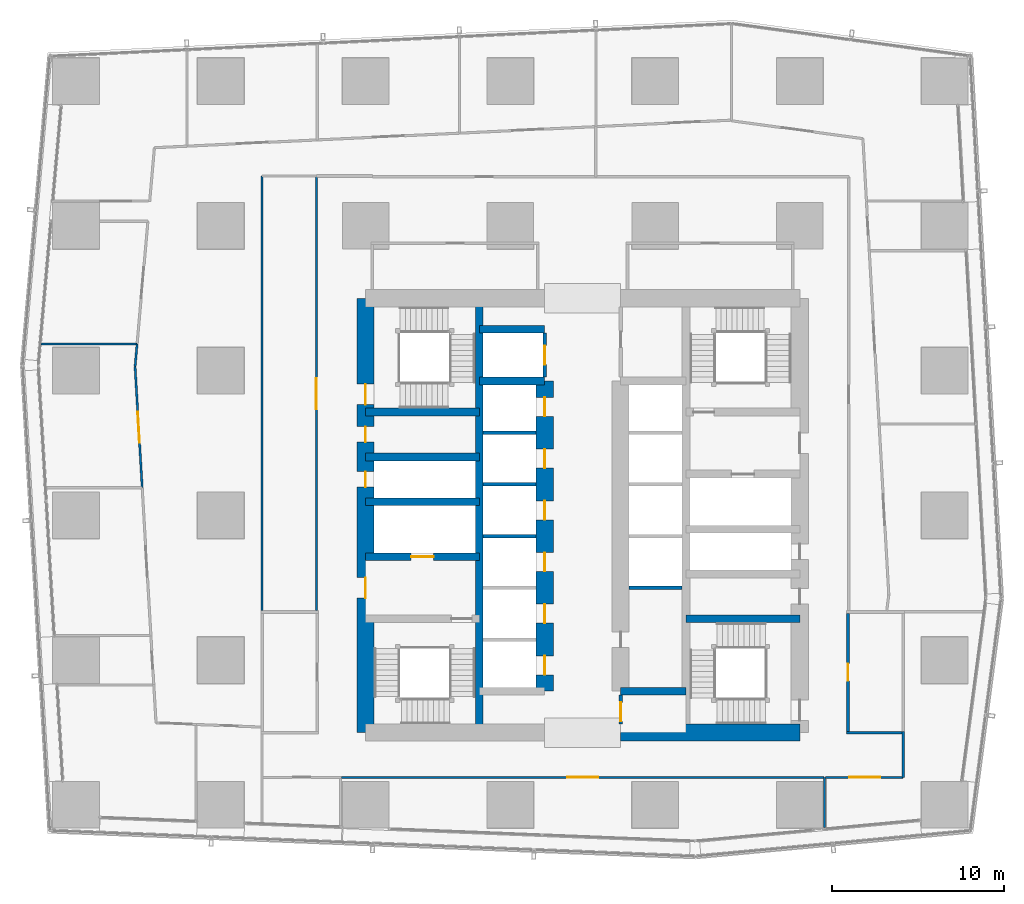
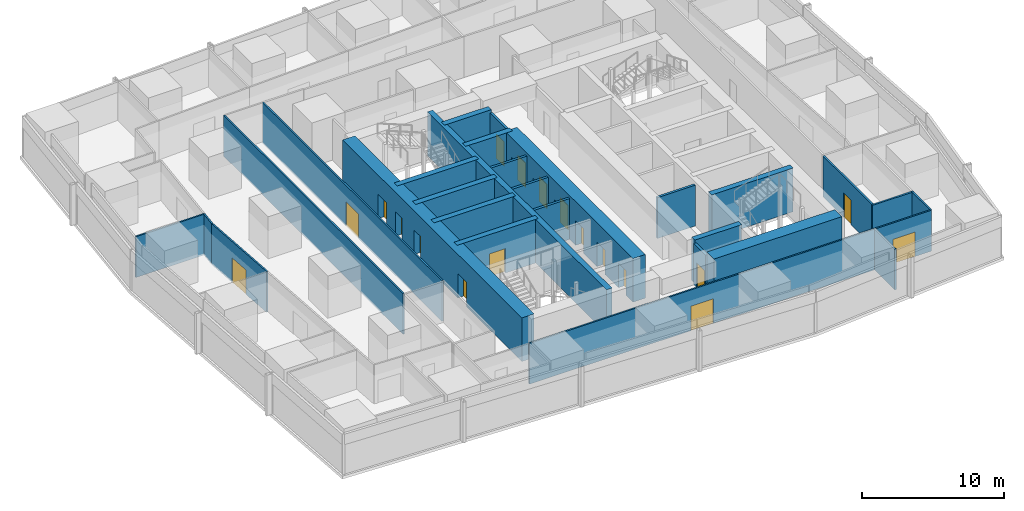
# One storey, part 25 of 36: 29 walls, 18 doors, 18 openings.
"""IFC4 building model written with IfcOpenShell, lengths in metres."""

from ifc_helpers import new_model, si_unit, direction, frame, frame_2d, origin, place, context, subcontext, project, spatial, rectangle, extrude, material, layer, layer_set, type_object, element, fill, save


model = new_model("IFC4")

# Units and contexts
model_context = context("Model", 3, precision=1e-05, world=origin(), true_north=direction((0.0, 1.0)))
body_context = subcontext(model_context, "Body", "Model", "MODEL_VIEW")
ifc_project = project(units=[si_unit("LENGTHUNIT", "METRE"), si_unit("AREAUNIT", "SQUARE_METRE"), si_unit("VOLUMEUNIT", "CUBIC_METRE"), si_unit("PLANEANGLEUNIT", "RADIAN"), si_unit("MASSUNIT", "GRAM", prefix="KILO")], contexts=[model_context])

# Site, building, storey
site_placement = place(None, origin())
site = spatial("IfcSite", under=ifc_project, at=site_placement, CompositionType="ELEMENT")
building_placement = place(site_placement, origin())
building = spatial("IfcBuilding", under=site, at=building_placement, Name="Rekha Terrace Tower", CompositionType="ELEMENT")
storey_placement = place(building_placement, frame((0.0, 0.0, 172.699951171875)))
storey = spatial("IfcBuildingStorey", under=building, at=storey_placement, Name="L43", CompositionType="ELEMENT", Elevation=172.699951171875)

# Walls
ifc_material_1 = material(Name="Concrete M60", Category="concrete")
ifc_layer_1 = layer(ifc_material_1, 0.449951171875)
ifc_layer_set_1 = layer_set([ifc_layer_1], Name="Concrete M60")
wall_type_1 = type_object("IfcWallType", Name="CI3 450 core internal shear wall", PredefinedType="SHEAR", material=ifc_layer_set_1)
wall_1_placement = place(storey_placement, frame((31.800048828125, 21.0, 0.0), z_axis=(0.0, 0.0, 1.0), x_axis=(0.0, 1.0, 0.0)))
element("IfcWall", 1, at=wall_1_placement, inside=storey, type_object=wall_type_1, Name="Core wall X318 L43", PredefinedType="SHEAR", context=body_context, shape_type="SweptSolid", body=[
    extrude(rectangle(XDim=25.199951171875, YDim=0.449951171875, at=frame_2d((12.60009765625, 0.0))), origin(), (0.0, 0.0, 1.0), 3.75),
])
for number, where, z_axis, x_axis, name in (
    (2, (31.800048828125, 41.39990234375, 0.0), (0.0, 0.0, 1.0), (1.0, 0.0, 0.0), "Core wall Y414W L43"),
    (3, (31.800048828125, 44.39990234375, 0.0), (0.0, 0.0, 1.0), (1.0, 0.0, 0.0), "Core wall Y444W L43"),
    (4, (40.0, 23.39990234375, 0.0), (0.0, 0.0, 1.0), (1.0, 0.0, 0.0), "Core wall Y234E L43"),
):
    element("IfcWall", number, at=place(storey_placement, frame(where, z_axis=z_axis, x_axis=x_axis)), inside=storey, type_object=wall_type_1, Name=name, PredefinedType="SHEAR", context=body_context, shape_type="SweptSolid", body=[
        extrude(rectangle(XDim=3.800048828125, YDim=0.449951171875, at=frame_2d((1.89990234375, 0.0))), origin(), (0.0, 0.0, 1.0), 3.75),
    ])

# Wall, opening, door
wall_2_placement = place(storey_placement, frame((25.199951171875, 31.199951171875, 0.0), z_axis=(0.0, 0.0, 1.0), x_axis=(1.0, 0.0, 0.0)))
wall_2 = element("IfcWall", 5, at=wall_2_placement, inside=storey, type_object=wall_type_1, Name="Core wall Y312W L43", PredefinedType="SHEAR", context=body_context, shape_type="SweptSolid", body=[
    extrude(rectangle(XDim=6.60009765625, YDim=0.449951171875, at=frame_2d((3.300048828125, 0.0))), origin(), (0.0, 0.0, 1.0), 3.75),
])
opening_1_placement = place(wall_2_placement, frame((2.64990234375, 0.0, 0.0)))
opening_1 = element("IfcOpeningElement", 6, at=opening_1_placement, cuts=wall_2, Name="Opening LD2", PredefinedType="OPENING", context=body_context, shape_type="SweptSolid", body=[
    extrude(rectangle(XDim=1.300048828125, YDim=2.10009765625, at=frame_2d((0.64990234375, 1.050048828125))), frame((0.0, 0.23486328125, 0.0), z_axis=(0.0, -1.0, 0.0), x_axis=(1.0, 0.0, 0.0)), (0.0, 0.0, 1.0), 0.469970703125),
])
ifc_material_2 = material(Name="Stainless steel sliding landing door", Category="steel")
door_type_1 = type_object("IfcDoorType", Name="LD2 1300x2100 fire lift landing door", OperationType="SLIDING_TO_LEFT", PredefinedType="USERDEFINED", material=ifc_material_2)
door_1_placement = place(opening_1_placement, origin())
door_1 = element("IfcDoor", 7, at=door_1_placement, inside=storey, type_object=door_type_1, Name="Lift FL1 landing door L43", ObjectType="LIFT LANDING DOOR", OperationType="SLIDING_TO_LEFT", OverallHeight=2.10009765625, OverallWidth=1.300048828125, PredefinedType="USERDEFINED", context=body_context, shape_type="SweptSolid", body=[
    extrude(rectangle(XDim=1.300048828125, YDim=2.10009765625, at=frame_2d((0.64990234375, 1.050048828125))), frame((0.0, 0.02490234375, 0.0), z_axis=(0.0, -1.0, 0.0), x_axis=(1.0, 0.0, 0.0)), (0.0, 0.0, 1.0), 0.050048828125),
])
fill(opening_1, door_1)

# Walls
for number, where, z_axis, x_axis, name in (
    (8, (25.199951171875, 34.39990234375, 0.0), (0.0, 0.0, 1.0), (1.0, 0.0, 0.0), "Core wall Y344W L43"),
    (9, (25.199951171875, 37.0, 0.0), (0.0, 0.0, 1.0), (1.0, 0.0, 0.0), "Core wall Y370W L43"),
    (10, (25.199951171875, 39.60009765625, 0.0), (0.0, 0.0, 1.0), (1.0, 0.0, 0.0), "Core wall Y396W L43"),
):
    element("IfcWall", number, at=place(storey_placement, frame(where, z_axis=z_axis, x_axis=x_axis)), inside=storey, type_object=wall_type_1, Name=name, PredefinedType="SHEAR", context=body_context, shape_type="SweptSolid", body=[
        extrude(rectangle(XDim=6.60009765625, YDim=0.449951171875, at=frame_2d((3.300048828125, 0.0))), origin(), (0.0, 0.0, 1.0), 3.75),
    ])
wall_3_placement = place(storey_placement, frame((43.800048828125, 27.60009765625, 0.0), z_axis=(0.0, 0.0, 1.0), x_axis=(1.0, 0.0, 0.0)))
element("IfcWall", 11, at=wall_3_placement, inside=storey, type_object=wall_type_1, Name="Core wall Y276E L43", PredefinedType="SHEAR", context=body_context, shape_type="SweptSolid", body=[
    extrude(rectangle(XDim=6.599853515625, YDim=0.449951171875, at=frame_2d((3.2998046875, 0.0))), origin(), (0.0, 0.0, 1.0), 3.75),
])

# Wall, openings, doors
ifc_layer_2 = layer(ifc_material_1, 1.0)
ifc_layer_set_2 = layer_set([ifc_layer_2], Name="Concrete M60")
wall_type_2 = type_object("IfcWallType", Name="LW3 1000 core lobby wall at an outrigger level", PredefinedType="SHEAR", material=ifc_layer_set_2)
wall_4_placement = place(storey_placement, frame((35.60009765625, 23.39990234375, 0.0), z_axis=(0.0, 0.0, 1.0), x_axis=(0.0, 1.0, 0.0)))
wall_4 = element("IfcWall", 12, at=wall_4_placement, inside=storey, type_object=wall_type_2, Name="Core wall X356 L43", PredefinedType="SHEAR", context=body_context, shape_type="SweptSolid", body=[
    extrude(rectangle(XDim=18.0, YDim=1.0, at=frame_2d((9.0, 0.0))), origin(), (0.0, 0.0, 1.0), 3.75),
])
opening_2_placement = place(wall_4_placement, frame((0.949951171875, 0.0, 0.0)))
opening_2 = element("IfcOpeningElement", 13, at=opening_2_placement, cuts=wall_4, Name="Opening LD1", PredefinedType="OPENING", context=body_context, shape_type="SweptSolid", body=[
    extrude(rectangle(XDim=1.10009765625, YDim=2.10009765625, at=frame_2d((0.550048828125, 1.050048828125))), frame((0.0, 0.510009765625, 0.0), z_axis=(0.0, -1.0, 0.0), x_axis=(1.0, 0.0, 0.0)), (0.0, 0.0, 1.0), 1.02001953125),
])
opening_3_placement = place(wall_4_placement, frame((3.949951171875, 0.0, 0.0)))
opening_3 = element("IfcOpeningElement", 14, at=opening_3_placement, cuts=wall_4, Name="Opening LD1", PredefinedType="OPENING", context=body_context, shape_type="SweptSolid", body=[
    extrude(rectangle(XDim=1.10009765625, YDim=2.10009765625, at=frame_2d((0.550048828125, 1.050048828125))), frame((0.0, 0.510009765625, 0.0), z_axis=(0.0, -1.0, 0.0), x_axis=(1.0, 0.0, 0.0)), (0.0, 0.0, 1.0), 1.02001953125),
])
opening_4_placement = place(wall_4_placement, frame((6.949951171875, 0.0, 0.0)))
opening_4 = element("IfcOpeningElement", 15, at=opening_4_placement, cuts=wall_4, Name="Opening LD1", PredefinedType="OPENING", context=body_context, shape_type="SweptSolid", body=[
    extrude(rectangle(XDim=1.10009765625, YDim=2.10009765625, at=frame_2d((0.550048828125, 1.050048828125))), frame((0.0, 0.510009765625, 0.0), z_axis=(0.0, -1.0, 0.0), x_axis=(1.0, 0.0, 0.0)), (0.0, 0.0, 1.0), 1.02001953125),
])
opening_5_placement = place(wall_4_placement, frame((9.949951171875, 0.0, 0.0)))
opening_5 = element("IfcOpeningElement", 16, at=opening_5_placement, cuts=wall_4, Name="Opening LD1", PredefinedType="OPENING", context=body_context, shape_type="SweptSolid", body=[
    extrude(rectangle(XDim=1.10009765625, YDim=2.10009765625, at=frame_2d((0.550048828125, 1.050048828125))), frame((0.0, 0.510009765625, 0.0), z_axis=(0.0, -1.0, 0.0), x_axis=(1.0, 0.0, 0.0)), (0.0, 0.0, 1.0), 1.02001953125),
])
opening_6_placement = place(wall_4_placement, frame((12.949951171875, 0.0, 0.0)))
opening_6 = element("IfcOpeningElement", 17, at=opening_6_placement, cuts=wall_4, Name="Opening LD1", PredefinedType="OPENING", context=body_context, shape_type="SweptSolid", body=[
    extrude(rectangle(XDim=1.10009765625, YDim=2.10009765625, at=frame_2d((0.550048828125, 1.050048828125))), frame((0.0, 0.510009765625, 0.0), z_axis=(0.0, -1.0, 0.0), x_axis=(1.0, 0.0, 0.0)), (0.0, 0.0, 1.0), 1.02001953125),
])
opening_7_placement = place(wall_4_placement, frame((15.949951171875, 0.0, 0.0)))
opening_7 = element("IfcOpeningElement", 18, at=opening_7_placement, cuts=wall_4, Name="Opening LD1", PredefinedType="OPENING", context=body_context, shape_type="SweptSolid", body=[
    extrude(rectangle(XDim=1.10009765625, YDim=2.10009765625, at=frame_2d((0.550048828125, 1.050048828125))), frame((0.0, 0.510009765625, 0.0), z_axis=(0.0, -1.0, 0.0), x_axis=(1.0, 0.0, 0.0)), (0.0, 0.0, 1.0), 1.02001953125),
])
door_type_2 = type_object("IfcDoorType", Name="LD1 1100x2100 lift landing door", OperationType="SLIDING_TO_LEFT", PredefinedType="USERDEFINED", material=ifc_material_2)
door_2_placement = place(opening_2_placement, origin())
door_2 = element("IfcDoor", 19, at=door_2_placement, inside=storey, type_object=door_type_2, Name="Lift C1 landing door L43", ObjectType="LIFT LANDING DOOR", OperationType="SLIDING_TO_LEFT", OverallHeight=2.10009765625, OverallWidth=1.10009765625, PredefinedType="USERDEFINED", context=body_context, shape_type="SweptSolid", body=[
    extrude(rectangle(XDim=1.10009765625, YDim=2.10009765625, at=frame_2d((0.550048828125, 1.050048828125))), frame((0.0, 0.02490234375, 0.0), z_axis=(0.0, -1.0, 0.0), x_axis=(1.0, 0.0, 0.0)), (0.0, 0.0, 1.0), 0.050048828125),
])
fill(opening_2, door_2)
door_3_placement = place(opening_3_placement, origin())
door_3 = element("IfcDoor", 20, at=door_3_placement, inside=storey, type_object=door_type_2, Name="Lift C2 landing door L43", ObjectType="LIFT LANDING DOOR", OperationType="SLIDING_TO_LEFT", OverallHeight=2.10009765625, OverallWidth=1.10009765625, PredefinedType="USERDEFINED", context=body_context, shape_type="SweptSolid", body=[
    extrude(rectangle(XDim=1.10009765625, YDim=2.10009765625, at=frame_2d((0.550048828125, 1.050048828125))), frame((0.0, 0.02490234375, 0.0), z_axis=(0.0, -1.0, 0.0), x_axis=(1.0, 0.0, 0.0)), (0.0, 0.0, 1.0), 0.050048828125),
])
fill(opening_3, door_3)
door_4_placement = place(opening_4_placement, origin())
door_4 = element("IfcDoor", 21, at=door_4_placement, inside=storey, type_object=door_type_2, Name="Lift C3 landing door L43", ObjectType="LIFT LANDING DOOR", OperationType="SLIDING_TO_LEFT", OverallHeight=2.10009765625, OverallWidth=1.10009765625, PredefinedType="USERDEFINED", context=body_context, shape_type="SweptSolid", body=[
    extrude(rectangle(XDim=1.10009765625, YDim=2.10009765625, at=frame_2d((0.550048828125, 1.050048828125))), frame((0.0, 0.02490234375, 0.0), z_axis=(0.0, -1.0, 0.0), x_axis=(1.0, 0.0, 0.0)), (0.0, 0.0, 1.0), 0.050048828125),
])
fill(opening_4, door_4)
door_5_placement = place(opening_5_placement, origin())
door_5 = element("IfcDoor", 22, at=door_5_placement, inside=storey, type_object=door_type_2, Name="Lift C4 landing door L43", ObjectType="LIFT LANDING DOOR", OperationType="SLIDING_TO_LEFT", OverallHeight=2.10009765625, OverallWidth=1.10009765625, PredefinedType="USERDEFINED", context=body_context, shape_type="SweptSolid", body=[
    extrude(rectangle(XDim=1.10009765625, YDim=2.10009765625, at=frame_2d((0.550048828125, 1.050048828125))), frame((0.0, 0.02490234375, 0.0), z_axis=(0.0, -1.0, 0.0), x_axis=(1.0, 0.0, 0.0)), (0.0, 0.0, 1.0), 0.050048828125),
])
fill(opening_5, door_5)
door_6_placement = place(opening_6_placement, origin())
door_6 = element("IfcDoor", 23, at=door_6_placement, inside=storey, type_object=door_type_2, Name="Lift C5 landing door L43", ObjectType="LIFT LANDING DOOR", OperationType="SLIDING_TO_LEFT", OverallHeight=2.10009765625, OverallWidth=1.10009765625, PredefinedType="USERDEFINED", context=body_context, shape_type="SweptSolid", body=[
    extrude(rectangle(XDim=1.10009765625, YDim=2.10009765625, at=frame_2d((0.550048828125, 1.050048828125))), frame((0.0, 0.02490234375, 0.0), z_axis=(0.0, -1.0, 0.0), x_axis=(1.0, 0.0, 0.0)), (0.0, 0.0, 1.0), 0.050048828125),
])
fill(opening_6, door_6)
door_7_placement = place(opening_7_placement, origin())
door_7 = element("IfcDoor", 24, at=door_7_placement, inside=storey, type_object=door_type_2, Name="Lift C6 landing door L43", ObjectType="LIFT LANDING DOOR", OperationType="SLIDING_TO_LEFT", OverallHeight=2.10009765625, OverallWidth=1.10009765625, PredefinedType="USERDEFINED", context=body_context, shape_type="SweptSolid", body=[
    extrude(rectangle(XDim=1.10009765625, YDim=2.10009765625, at=frame_2d((0.550048828125, 1.050048828125))), frame((0.0, 0.02490234375, 0.0), z_axis=(0.0, -1.0, 0.0), x_axis=(1.0, 0.0, 0.0)), (0.0, 0.0, 1.0), 0.050048828125),
])
fill(opening_7, door_7)

# Wall
ifc_layer_3 = layer(ifc_material_1, 1.0)
ifc_layer_set_3 = layer_set([ifc_layer_3], Name="Concrete M60")
wall_type_3 = type_object("IfcWallType", Name="SW3 1000 core outer shear wall", PredefinedType="SHEAR", material=ifc_layer_set_3)
wall_5_placement = place(storey_placement, frame((40.0, 21.0, 0.0), z_axis=(0.0, 0.0, 1.0), x_axis=(1.0, 0.0, 0.0)))
element("IfcWall", 25, at=wall_5_placement, inside=storey, type_object=wall_type_3, Name="Core wall S2 L43", PredefinedType="SHEAR", context=body_context, shape_type="SweptSolid", body=[
    extrude(rectangle(XDim=10.39990234375, YDim=1.0, at=frame_2d((5.199951171875, 0.0))), origin(), (0.0, 0.0, 1.0), 3.75),
])

# Wall, openings, doors
wall_6_placement = place(storey_placement, frame((25.199951171875, 21.0, 0.0), z_axis=(0.0, 0.0, 1.0), x_axis=(0.0, 1.0, 0.0)))
wall_6 = element("IfcWall", 26, at=wall_6_placement, inside=storey, type_object=wall_type_3, Name="Core wall W L43", PredefinedType="SHEAR", context=body_context, shape_type="SweptSolid", body=[
    extrude(rectangle(XDim=25.199951171875, YDim=1.0, at=frame_2d((12.60009765625, 0.0))), origin(), (0.0, 0.0, 1.0), 3.75),
])
opening_8_placement = place(wall_6_placement, frame((7.800048828125, 0.0, 0.0)))
opening_8 = element("IfcOpeningElement", 27, at=opening_8_placement, cuts=wall_6, Name="Opening D2", PredefinedType="OPENING", context=body_context, shape_type="SweptSolid", body=[
    extrude(rectangle(XDim=1.199951171875, YDim=2.10009765625, at=frame_2d((0.60009765625, 1.050048828125))), frame((0.0, 0.510009765625, 0.0), z_axis=(0.0, -1.0, 0.0), x_axis=(1.0, 0.0, 0.0)), (0.0, 0.0, 1.0), 1.02001953125),
])
opening_9_placement = place(wall_6_placement, frame((14.25, 0.0, 0.0)))
opening_9 = element("IfcOpeningElement", 28, at=opening_9_placement, cuts=wall_6, Name="Opening D5", PredefinedType="OPENING", context=body_context, shape_type="SweptSolid", body=[
    extrude(rectangle(XDim=0.89990234375, YDim=2.10009765625, at=frame_2d((0.449951171875, 1.050048828125))), frame((0.0, 0.510009765625, 0.0), z_axis=(0.0, -1.0, 0.0), x_axis=(1.0, 0.0, 0.0)), (0.0, 0.0, 1.0), 1.02001953125),
])
opening_10_placement = place(wall_6_placement, frame((16.85009765625, 0.0, 0.0)))
opening_10 = element("IfcOpeningElement", 29, at=opening_10_placement, cuts=wall_6, Name="Opening D5", PredefinedType="OPENING", context=body_context, shape_type="SweptSolid", body=[
    extrude(rectangle(XDim=0.89990234375, YDim=2.10009765625, at=frame_2d((0.449951171875, 1.050048828125))), frame((0.0, 0.510009765625, 0.0), z_axis=(0.0, -1.0, 0.0), x_axis=(1.0, 0.0, 0.0)), (0.0, 0.0, 1.0), 1.02001953125),
])
opening_11_placement = place(wall_6_placement, frame((19.02490234375, 0.0, 0.0)))
opening_11 = element("IfcOpeningElement", 30, at=opening_11_placement, cuts=wall_6, Name="Opening D1", PredefinedType="OPENING", context=body_context, shape_type="SweptSolid", body=[
    extrude(rectangle(XDim=1.199951171875, YDim=2.10009765625, at=frame_2d((0.60009765625, 1.050048828125))), frame((0.0, 0.510009765625, 0.0), z_axis=(0.0, -1.0, 0.0), x_axis=(1.0, 0.0, 0.0)), (0.0, 0.0, 1.0), 1.02001953125),
])
ifc_material_3 = material(Name="Steel fire door", Category="steel")
door_type_3 = type_object("IfcDoorType", Name="D1 1200x2100 stair fire door", OperationType="SINGLE_SWING_RIGHT", PredefinedType="DOOR", material=ifc_material_3)
door_8_placement = place(opening_11_placement, origin())
door_8 = element("IfcDoor", 31, at=door_8_placement, inside=storey, type_object=door_type_3, Name="Stair ST4 door L43", OperationType="SINGLE_SWING_RIGHT", OverallHeight=2.10009765625, OverallWidth=1.199951171875, PredefinedType="DOOR", context=body_context, shape_type="SweptSolid", body=[
    extrude(rectangle(XDim=1.199951171875, YDim=2.10009765625, at=frame_2d((0.60009765625, 1.050048828125))), frame((0.0, 0.02490234375, 0.0), z_axis=(0.0, -1.0, 0.0), x_axis=(1.0, 0.0, 0.0)), (0.0, 0.0, 1.0), 0.050048828125),
])
fill(opening_11, door_8)
door_type_4 = type_object("IfcDoorType", Name="D2 1200x2100 firefighting lobby door", OperationType="SINGLE_SWING_LEFT", PredefinedType="DOOR", material=ifc_material_3)
door_9_placement = place(opening_8_placement, origin())
door_9 = element("IfcDoor", 32, at=door_9_placement, inside=storey, type_object=door_type_4, Name="Door flb1 L43", OperationType="SINGLE_SWING_LEFT", OverallHeight=2.10009765625, OverallWidth=1.199951171875, PredefinedType="DOOR", context=body_context, shape_type="SweptSolid", body=[
    extrude(rectangle(XDim=1.199951171875, YDim=2.10009765625, at=frame_2d((0.60009765625, 1.050048828125))), frame((0.0, 0.02490234375, 0.0), z_axis=(0.0, -1.0, 0.0), x_axis=(1.0, 0.0, 0.0)), (0.0, 0.0, 1.0), 0.050048828125),
])
fill(opening_8, door_9)
door_type_5 = type_object("IfcDoorType", Name="D5 900x2100 riser access door", OperationType="SINGLE_SWING_LEFT", PredefinedType="DOOR", material=ifc_material_3)
door_10_placement = place(opening_9_placement, origin())
door_10 = element("IfcDoor", 33, at=door_10_placement, inside=storey, type_object=door_type_5, Name="Door rs1 L43", OperationType="SINGLE_SWING_LEFT", OverallHeight=2.10009765625, OverallWidth=0.89990234375, PredefinedType="DOOR", context=body_context, shape_type="SweptSolid", body=[
    extrude(rectangle(XDim=0.89990234375, YDim=2.10009765625, at=frame_2d((0.449951171875, 1.050048828125))), frame((0.0, 0.02490234375, 0.0), z_axis=(0.0, -1.0, 0.0), x_axis=(1.0, 0.0, 0.0)), (0.0, 0.0, 1.0), 0.050048828125),
])
fill(opening_9, door_10)
door_11_placement = place(opening_10_placement, origin())
door_11 = element("IfcDoor", 34, at=door_11_placement, inside=storey, type_object=door_type_5, Name="Door elw L43", OperationType="SINGLE_SWING_LEFT", OverallHeight=2.10009765625, OverallWidth=0.89990234375, PredefinedType="DOOR", context=body_context, shape_type="SweptSolid", body=[
    extrude(rectangle(XDim=0.89990234375, YDim=2.10009765625, at=frame_2d((0.449951171875, 1.050048828125))), frame((0.0, 0.02490234375, 0.0), z_axis=(0.0, -1.0, 0.0), x_axis=(1.0, 0.0, 0.0)), (0.0, 0.0, 1.0), 0.050048828125),
])
fill(opening_10, door_11)

# Wall
ifc_material_4 = material(Name="Concrete block masonry, 1 hour", Category="masonry")
ifc_layer_4 = layer(ifc_material_4, 0.14990234375)
ifc_layer_set_4 = layer_set([ifc_layer_4], Name="Concrete block masonry, 1 hour")
wall_type_4 = type_object("IfcWallType", Name="WP2 150 tenancy partition", PredefinedType="PARTITIONING", material=ifc_layer_set_4)
wall_7_placement = place(storey_placement, frame((53.125, 21.0, 0.0), z_axis=(0.0, 0.0, 1.0), x_axis=(1.0, 0.0, 0.0)))
element("IfcWall", 35, at=wall_7_placement, inside=storey, type_object=wall_type_4, Name="Men's WC wall L43", PredefinedType="PARTITIONING", context=body_context, shape_type="SweptSolid", body=[
    extrude(rectangle(XDim=3.35009765625, YDim=0.14990234375, at=frame_2d((1.675048828125, 0.0))), origin(), (0.0, 0.0, 1.0), 3.5),
])

# Wall, opening, door
wall_8_placement = place(storey_placement, frame((53.199951171875, 21.074951171875, 0.0), z_axis=(0.0, 0.0, 1.0), x_axis=(0.0, 1.0, 0.0)))
wall_8 = element("IfcWall", 36, at=wall_8_placement, inside=storey, type_object=wall_type_4, Name="Men's WC wall L43", PredefinedType="PARTITIONING", context=body_context, shape_type="SweptSolid", body=[
    extrude(rectangle(XDim=6.85009765625, YDim=0.14990234375, at=frame_2d((3.425048828125, 0.0))), origin(), (0.0, 0.0, 1.0), 3.5),
])
opening_12_placement = place(wall_8_placement, frame((2.925048828125, 0.0, 0.0)))
opening_12 = element("IfcOpeningElement", 37, at=opening_12_placement, cuts=wall_8, Name="Opening D3", PredefinedType="OPENING", context=body_context, shape_type="SweptSolid", body=[
    extrude(rectangle(XDim=1.0, YDim=2.10009765625, at=frame_2d((0.5, 1.050048828125))), frame((0.0, 0.0849609375, 0.0), z_axis=(0.0, -1.0, 0.0), x_axis=(1.0, 0.0, 0.0)), (0.0, 0.0, 1.0), 0.169921875),
])
ifc_material_5 = material(Name="Laminated timber fire door", Category="wood")
door_type_6 = type_object("IfcDoorType", Name="D3 1000x2100 WC door", OperationType="SINGLE_SWING_LEFT", PredefinedType="DOOR", material=ifc_material_5)
door_12_placement = place(opening_12_placement, origin())
door_12 = element("IfcDoor", 38, at=door_12_placement, inside=storey, type_object=door_type_6, Name="Door men's wc L43", OperationType="SINGLE_SWING_LEFT", OverallHeight=2.10009765625, OverallWidth=1.0, PredefinedType="DOOR", context=body_context, shape_type="SweptSolid", body=[
    extrude(rectangle(XDim=1.0, YDim=2.10009765625, at=frame_2d((0.5, 1.050048828125))), frame((0.0, 0.02490234375, 0.0), z_axis=(0.0, -1.0, 0.0), x_axis=(1.0, 0.0, 0.0)), (0.0, 0.0, 1.0), 0.050048828125),
])
fill(opening_12, door_12)

ifc_material_6 = material(Name="Two layers of fire-rated gypsum board each side on steel studs, acoustic quilt, 1 hour", Category="steel")
ifc_layer_5 = layer(ifc_material_6, 0.125)
ifc_layer_set_5 = layer_set([ifc_layer_5], Name="Two layers of fire-rated gypsum board each side on steel studs, acoustic quilt, 1 hour")
wall_type_5 = type_object("IfcWallType", Name="WP3 125 office partition", PredefinedType="PARTITIONING", material=ifc_layer_set_5)
wall_9_placement = place(storey_placement, frame((23.79296875, 18.39990234375, 0.0), z_axis=(0.0, 0.0, 1.0), x_axis=(1.0, 0.0, 0.0)))
wall_9 = element("IfcWall", 39, at=wall_9_placement, inside=storey, type_object=wall_type_5, Name="Partition L43-02", PredefinedType="PARTITIONING", context=body_context, shape_type="SweptSolid", body=[
    extrude(rectangle(XDim=28.01806640625, YDim=0.125, at=frame_2d((14.009033203125, 0.0))), origin(), (0.0, 0.0, 1.0), 3.5),
])
opening_13_placement = place(wall_9_placement, frame((13.10888671875, 0.0, 0.0)))
opening_13 = element("IfcOpeningElement", 40, at=opening_13_placement, cuts=wall_9, Name="Opening D8", PredefinedType="OPENING", context=body_context, shape_type="SweptSolid", body=[
    extrude(rectangle(XDim=1.800048828125, YDim=2.10009765625, at=frame_2d((0.89990234375, 1.050048828125))), frame((0.0, 0.072509765625, 0.0), z_axis=(0.0, -1.0, 0.0), x_axis=(1.0, 0.0, 0.0)), (0.0, 0.0, 1.0), 0.14501953125),
])
ifc_material_7 = material(Name="Timber fire door", Category="wood")
door_type_7 = type_object("IfcDoorType", Name="D8 1800x2100 double leaf door", OperationType="DOUBLE_DOOR_SINGLE_SWING", PredefinedType="DOOR", material=ifc_material_7)
door_13_placement = place(opening_13_placement, origin())
door_13 = element("IfcDoor", 41, at=door_13_placement, inside=storey, type_object=door_type_7, Name="Door dining pantry L43", OperationType="DOUBLE_DOOR_SINGLE_SWING", OverallHeight=2.10009765625, OverallWidth=1.800048828125, PredefinedType="DOOR", context=body_context, shape_type="SweptSolid", body=[
    extrude(rectangle(XDim=1.800048828125, YDim=2.10009765625, at=frame_2d((0.89990234375, 1.050048828125))), frame((0.0, 0.02490234375, 0.0), z_axis=(0.0, -1.0, 0.0), x_axis=(1.0, 0.0, 0.0)), (0.0, 0.0, 1.0), 0.050048828125),
])
fill(opening_13, door_13)

# Wall
wall_10_placement = place(storey_placement, frame((51.843017578125, 18.39990234375, 0.0), z_axis=(0.0, 0.0, 1.0), x_axis=(0.0, -1.0, 0.0)))
element("IfcWall", 42, at=wall_10_placement, inside=storey, type_object=wall_type_5, Name="Partition L43-02", PredefinedType="PARTITIONING", context=body_context, shape_type="SweptSolid", body=[
    extrude(rectangle(XDim=2.906982421875, YDim=0.125, at=frame_2d((1.45361328125, 0.0))), origin(), (0.0, 0.0, 1.0), 3.5),
])

# Wall, opening, door
wall_11_placement = place(storey_placement, frame((51.906005859375, 18.39990234375, 0.0), z_axis=(0.0, 0.0, 1.0), x_axis=(1.0, 0.0, 0.0)))
wall_11 = element("IfcWall", 43, at=wall_11_placement, inside=storey, type_object=wall_type_5, Name="Partition L43-03", PredefinedType="PARTITIONING", context=body_context, shape_type="SweptSolid", body=[
    extrude(rectangle(XDim=4.493896484375, YDim=0.125, at=frame_2d((2.2470703125, 0.0))), origin(), (0.0, 0.0, 1.0), 3.5),
])
opening_14_placement = place(wall_11_placement, frame((1.3740234375, 0.0, 0.0)))
opening_14 = element("IfcOpeningElement", 44, at=opening_14_placement, cuts=wall_11, Name="Opening D8", PredefinedType="OPENING", context=body_context, shape_type="SweptSolid", body=[
    extrude(rectangle(XDim=1.800048828125, YDim=2.10009765625, at=frame_2d((0.89990234375, 1.050048828125))), frame((0.0, 0.072509765625, 0.0), z_axis=(0.0, -1.0, 0.0), x_axis=(1.0, 0.0, 0.0)), (0.0, 0.0, 1.0), 0.14501953125),
])
door_14_placement = place(opening_14_placement, origin())
door_14 = element("IfcDoor", 45, at=door_14_placement, inside=storey, type_object=door_type_7, Name="Door club lounge L43", OperationType="DOUBLE_DOOR_SINGLE_SWING", OverallHeight=2.10009765625, OverallWidth=1.800048828125, PredefinedType="DOOR", context=body_context, shape_type="SweptSolid", body=[
    extrude(rectangle(XDim=1.800048828125, YDim=2.10009765625, at=frame_2d((0.89990234375, 1.050048828125))), frame((0.0, 0.02490234375, 0.0), z_axis=(0.0, -1.0, 0.0), x_axis=(1.0, 0.0, 0.0)), (0.0, 0.0, 1.0), 0.050048828125),
])
fill(opening_14, door_14)

# Walls
wall_12_placement = place(storey_placement, frame((56.39990234375, 18.39990234375, 0.0), z_axis=(0.0, 0.0, 1.0), x_axis=(0.0, 1.0, 0.0)))
element("IfcWall", 46, at=wall_12_placement, inside=storey, type_object=wall_type_5, Name="Partition L43-03", PredefinedType="PARTITIONING", context=body_context, shape_type="SweptSolid", body=[
    extrude(rectangle(XDim=2.675048828125, YDim=0.125, at=frame_2d((1.33740234375, 0.0))), origin(), (0.0, 0.0, 1.0), 3.5),
])
wall_13_placement = place(storey_placement, frame((11.943115234375, 43.541015625, 0.0), z_axis=(0.0, 0.0, 1.0), x_axis=(-1.0, 0.0, 0.0)))
element("IfcWall", 47, at=wall_13_placement, inside=storey, type_object=wall_type_5, Name="Partition L43-13", PredefinedType="PARTITIONING", context=body_context, shape_type="SweptSolid", body=[
    extrude(rectangle(XDim=5.572021484375, YDim=0.125, at=frame_2d((2.7861328125, 0.0))), origin(), (0.0, 0.0, 1.0), 3.5),
])
wall_14_placement = place(storey_placement, frame((11.943115234375, 43.5400390625, 0.0), z_axis=(0.0, 0.0, 1.0), x_axis=(-0.087752736056, -0.996142287685, 0.0)))
element("IfcWall", 48, at=wall_14_placement, inside=storey, type_object=wall_type_5, Name="Partition L43-14", PredefinedType="PARTITIONING", context=body_context, shape_type="SweptSolid", body=[
    extrude(rectangle(XDim=1.313232421875, YDim=0.125, at=frame_2d((0.65673828125, 0.0))), origin(), (0.0, 0.0, 1.0), 3.5),
])

# Wall, opening, door
wall_15_placement = place(storey_placement, frame((11.827880859375, 42.23193359375, 0.0), z_axis=(0.0, 0.0, 1.0), x_axis=(0.05871795329, -0.9982746125, 0.0)))
wall_15 = element("IfcWall", 49, at=wall_15_placement, inside=storey, type_object=wall_type_5, Name="Partition L43-14", PredefinedType="PARTITIONING", context=body_context, shape_type="SweptSolid", body=[
    extrude(rectangle(XDim=7.03515625, YDim=0.125, at=frame_2d((3.517578125, 0.0))), origin(), (0.0, 0.0, 1.0), 3.5),
])
opening_15_placement = place(wall_15_placement, frame((2.617919921875, 0.0, 0.0)))
opening_15 = element("IfcOpeningElement", 50, at=opening_15_placement, cuts=wall_15, Name="Opening D8", PredefinedType="OPENING", context=body_context, shape_type="SweptSolid", body=[
    extrude(rectangle(XDim=1.800048828125, YDim=2.10009765625, at=frame_2d((0.89990234375, 1.050048828125))), frame((0.0, 0.072509765625, 0.0), z_axis=(0.0, -1.0, 0.0), x_axis=(1.0, 0.0, 0.0)), (0.0, 0.0, 1.0), 0.14501953125),
])
door_15_placement = place(opening_15_placement, origin())
door_15 = element("IfcDoor", 51, at=door_15_placement, inside=storey, type_object=door_type_7, Name="Door staff dining L43", OperationType="DOUBLE_DOOR_SINGLE_SWING", OverallHeight=2.10009765625, OverallWidth=1.800048828125, PredefinedType="DOOR", context=body_context, shape_type="SweptSolid", body=[
    extrude(rectangle(XDim=1.800048828125, YDim=2.10009765625, at=frame_2d((0.89990234375, 1.050048828125))), frame((0.0, 0.02490234375, 0.0), z_axis=(0.0, -1.0, 0.0), x_axis=(1.0, 0.0, 0.0)), (0.0, 0.0, 1.0), 0.050048828125),
])
fill(opening_15, door_15)

# Wall
wall_16_placement = place(storey_placement, frame((19.199951171875, 28.074951171875, 0.0), z_axis=(0.0, 0.0, 1.0), x_axis=(0.0, 1.0, 0.0)))
element("IfcWall", 52, at=wall_16_placement, inside=storey, type_object=wall_type_5, Name="Partition L43-20", PredefinedType="PARTITIONING", context=body_context, shape_type="SweptSolid", body=[
    extrude(rectangle(XDim=25.22509765625, YDim=0.125, at=frame_2d((12.612548828125, 0.0))), origin(), (0.0, 0.0, 1.0), 3.5),
])

# Wall, opening, door
wall_17_placement = place(storey_placement, frame((22.35009765625, 53.300048828125, 0.0), z_axis=(0.0, 0.0, 1.0), x_axis=(0.0, -1.0, 0.0)))
wall_17 = element("IfcWall", 53, at=wall_17_placement, inside=storey, type_object=wall_type_5, Name="Partition L43-20", PredefinedType="PARTITIONING", context=body_context, shape_type="SweptSolid", body=[
    extrude(rectangle(XDim=25.22509765625, YDim=0.125, at=frame_2d((12.612548828125, 0.0))), origin(), (0.0, 0.0, 1.0), 3.5),
])
opening_16_placement = place(wall_17_placement, frame((11.75, 0.0, 0.0)))
opening_16 = element("IfcOpeningElement", 54, at=opening_16_placement, cuts=wall_17, Name="Opening D8", PredefinedType="OPENING", context=body_context, shape_type="SweptSolid", body=[
    extrude(rectangle(XDim=1.800048828125, YDim=2.10009765625, at=frame_2d((0.89990234375, 1.050048828125))), frame((0.0, 0.072509765625, 0.0), z_axis=(0.0, -1.0, 0.0), x_axis=(1.0, 0.0, 0.0)), (0.0, 0.0, 1.0), 0.14501953125),
])
door_16_placement = place(opening_16_placement, origin())
door_16 = element("IfcDoor", 55, at=door_16_placement, inside=storey, type_object=door_type_7, Name="Door reception L43", OperationType="DOUBLE_DOOR_SINGLE_SWING", OverallHeight=2.10009765625, OverallWidth=1.800048828125, PredefinedType="DOOR", context=body_context, shape_type="SweptSolid", body=[
    extrude(rectangle(XDim=1.800048828125, YDim=2.10009765625, at=frame_2d((0.89990234375, 1.050048828125))), frame((0.0, 0.02490234375, 0.0), z_axis=(0.0, -1.0, 0.0), x_axis=(1.0, 0.0, 0.0)), (0.0, 0.0, 1.0), 0.050048828125),
])
fill(opening_16, door_16)

# Walls
ifc_material_8 = material(Name="Solid concrete block masonry, 2 hour", Category="masonry")
ifc_layer_6 = layer(ifc_material_8, 0.199951171875)
ifc_layer_set_6 = layer_set([ifc_layer_6], Name="Solid concrete block masonry, 2 hour")
wall_type_6 = type_object("IfcWallType", Name="WS1 200 stair and shaft enclosure", PredefinedType="PARTITIONING", material=ifc_layer_set_6)
for number, where, z_axis, x_axis, name in (
    (56, (32.02490234375, 32.39990234375, 0.0), (0.0, 0.0, 1.0), (1.0, 0.0, 0.0), "Lift shaft divider L43"),
    (57, (32.02490234375, 35.39990234375, 0.0), (0.0, 0.0, 1.0), (1.0, 0.0, 0.0), "Lift shaft divider L43"),
    (58, (32.02490234375, 38.39990234375, 0.0), (0.0, 0.0, 1.0), (1.0, 0.0, 0.0), "Lift shaft divider L43"),
):
    element("IfcWall", number, at=place(storey_placement, frame(where, z_axis=z_axis, x_axis=x_axis)), inside=storey, type_object=wall_type_6, Name=name, PredefinedType="PARTITIONING", context=body_context, shape_type="SweptSolid", body=[
        extrude(rectangle(XDim=3.0751953125, YDim=0.199951171875, at=frame_2d((1.53759765625, 0.0))), origin(), (0.0, 0.0, 1.0), 3.5),
    ])
wall_18_placement = place(storey_placement, frame((40.5, 29.39990234375, 0.0), z_axis=(0.0, 0.0, 1.0), x_axis=(1.0, 0.0, 0.0)))
element("IfcWall", 59, at=wall_18_placement, inside=storey, type_object=wall_type_6, Name="Lift shaft divider L43", PredefinedType="PARTITIONING", context=body_context, shape_type="SweptSolid", body=[
    extrude(rectangle(XDim=3.074951171875, YDim=0.199951171875, at=frame_2d((1.53759765625, 0.0))), origin(), (0.0, 0.0, 1.0), 3.5),
])

# Wall, opening, door
wall_19_placement = place(storey_placement, frame((40.0, 21.5, 0.0), z_axis=(0.0, 0.0, 1.0), x_axis=(0.0, 1.0, 0.0)))
wall_19 = element("IfcWall", 60, at=wall_19_placement, inside=storey, type_object=wall_type_6, Name="Core partition wca L43", PredefinedType="PARTITIONING", context=body_context, shape_type="SweptSolid", body=[
    extrude(rectangle(XDim=1.675048828125, YDim=0.199951171875, at=frame_2d((0.83740234375, 0.0))), origin(), (0.0, 0.0, 1.0), 3.5),
])
opening_17_placement = place(wall_19_placement, frame((0.14990234375, 0.0, 0.0)))
opening_17 = element("IfcOpeningElement", 61, at=opening_17_placement, cuts=wall_19, Name="Opening D4", PredefinedType="OPENING", context=body_context, shape_type="SweptSolid", body=[
    extrude(rectangle(XDim=1.10009765625, YDim=2.10009765625, at=frame_2d((0.550048828125, 1.050048828125))), frame((0.0, 0.10986328125, 0.0), z_axis=(0.0, -1.0, 0.0), x_axis=(1.0, 0.0, 0.0)), (0.0, 0.0, 1.0), 0.219970703125),
])
door_type_8 = type_object("IfcDoorType", Name="D4 1100x2100 accessible WC door", OperationType="SLIDING_TO_LEFT", PredefinedType="DOOR", material=ifc_material_5)
door_17_placement = place(opening_17_placement, origin())
door_17 = element("IfcDoor", 62, at=door_17_placement, inside=storey, type_object=door_type_8, Name="Door wca L43", OperationType="SLIDING_TO_LEFT", OverallHeight=2.10009765625, OverallWidth=1.10009765625, PredefinedType="DOOR", context=body_context, shape_type="SweptSolid", body=[
    extrude(rectangle(XDim=1.10009765625, YDim=2.10009765625, at=frame_2d((0.550048828125, 1.050048828125))), frame((0.0, 0.02490234375, 0.0), z_axis=(0.0, -1.0, 0.0), x_axis=(1.0, 0.0, 0.0)), (0.0, 0.0, 1.0), 0.050048828125),
])
fill(opening_17, door_17)

wall_20_placement = place(storey_placement, frame((35.60009765625, 41.625, 0.0), z_axis=(0.0, 0.0, 1.0), x_axis=(0.0, 1.0, 0.0)))
wall_20 = element("IfcWall", 63, at=wall_20_placement, inside=storey, type_object=wall_type_6, Name="Core partition jansv L43", PredefinedType="PARTITIONING", context=body_context, shape_type="SweptSolid", body=[
    extrude(rectangle(XDim=2.550048828125, YDim=0.199951171875, at=frame_2d((1.27490234375, 0.0))), origin(), (0.0, 0.0, 1.0), 3.5),
])
opening_18_placement = place(wall_20_placement, frame((0.72509765625, 0.0, 0.0)))
opening_18 = element("IfcOpeningElement", 64, at=opening_18_placement, cuts=wall_20, Name="Opening LD1", PredefinedType="OPENING", context=body_context, shape_type="SweptSolid", body=[
    extrude(rectangle(XDim=1.10009765625, YDim=2.10009765625, at=frame_2d((0.550048828125, 1.050048828125))), frame((0.0, 0.10986328125, 0.0), z_axis=(0.0, -1.0, 0.0), x_axis=(1.0, 0.0, 0.0)), (0.0, 0.0, 1.0), 0.219970703125),
])
door_18_placement = place(opening_18_placement, origin())
door_18 = element("IfcDoor", 65, at=door_18_placement, inside=storey, type_object=door_type_2, Name="Lift SV1 landing door L43", ObjectType="LIFT LANDING DOOR", OperationType="SLIDING_TO_LEFT", OverallHeight=2.10009765625, OverallWidth=1.10009765625, PredefinedType="USERDEFINED", context=body_context, shape_type="SweptSolid", body=[
    extrude(rectangle(XDim=1.10009765625, YDim=2.10009765625, at=frame_2d((0.550048828125, 1.050048828125))), frame((0.0, 0.02490234375, 0.0), z_axis=(0.0, -1.0, 0.0), x_axis=(1.0, 0.0, 0.0)), (0.0, 0.0, 1.0), 0.050048828125),
])
fill(opening_18, door_18)

save(model, "model.ifc")
